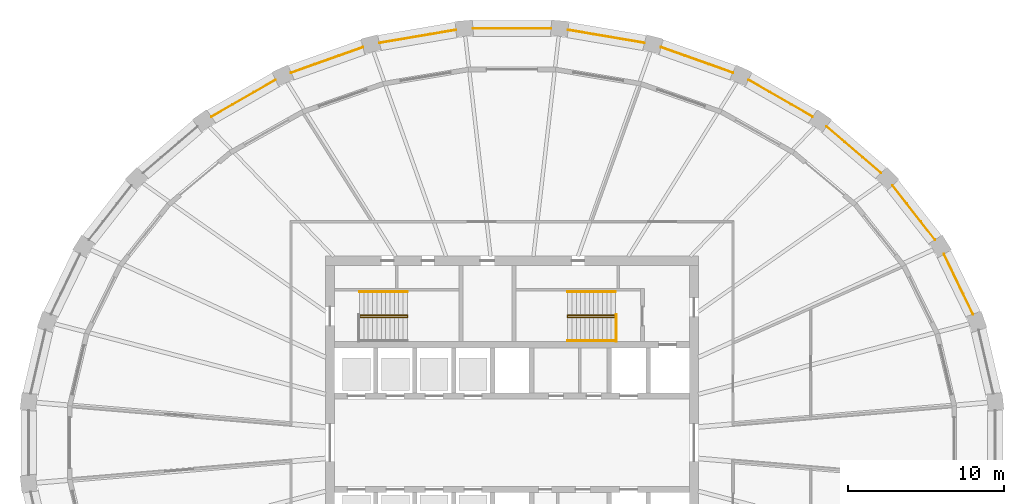
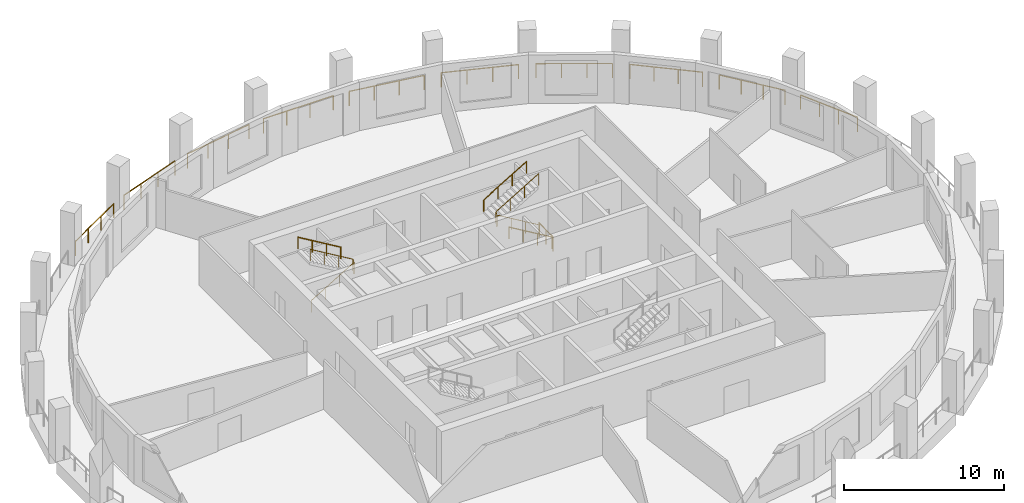
# One storey, part 9 of 10: 16 railings.
"""IFC4 building model written with IfcOpenShell, lengths in metres."""

from ifc_helpers import new_model, si_unit, direction, frame, origin, origin_2d, place, context, subcontext, project, spatial, circle, extrude, material, type_object, element, save


model = new_model("IFC4")

# Units and contexts
model_context = context("Model", 3, precision=1e-05, world=origin(), true_north=direction((0.0, 1.0)))
body_context = subcontext(model_context, "Body", "Model", "MODEL_VIEW")
ifc_project = project(units=[si_unit("LENGTHUNIT", "METRE"), si_unit("AREAUNIT", "SQUARE_METRE"), si_unit("VOLUMEUNIT", "CUBIC_METRE"), si_unit("PLANEANGLEUNIT", "RADIAN"), si_unit("MASSUNIT", "GRAM", prefix="KILO")], contexts=[model_context])

# Site, building, storey
site_placement = place(None, origin())
site = spatial("IfcSite", under=ifc_project, at=site_placement, CompositionType="ELEMENT")
building_placement = place(site_placement, origin())
building = spatial("IfcBuilding", under=site, at=building_placement, Name="Halqa Exchange Tower", CompositionType="ELEMENT")
storey_placement = place(building_placement, frame((0.0, 0.0, 238.89990234375)))
storey = spatial("IfcBuildingStorey", under=building, at=storey_placement, Name="L55", CompositionType="ELEMENT", Elevation=238.89990234375)

# Railings
ifc_material = material(Name="Stainless steel", Category="steel")
railing_type_1 = type_object("IfcRailingType", Name="Guard 1100 stainless steel", PredefinedType="GUARDRAIL", material=ifc_material)
railing_1_placement = place(storey_placement, frame((29.627197265625, 8.260986328125, 0.0)))
element("IfcRailing", 1, at=railing_1_placement, inside=storey, type_object=railing_type_1, Name="Loggia guard 2", PredefinedType="GUARDRAIL", context=body_context, shape_type="SweptSolid", body=[
    extrude(circle(Radius=0.02392578125, at=origin_2d()), frame((0.0, 0.0, 1.076171875), z_axis=(-0.435128594947, 0.900368316779, 0.0), x_axis=(-0.900368316779, -0.435128594947, 0.0)), (0.0, 0.0, 1.0), 4.281005859375),
    extrude(circle(Radius=0.02099609375, at=origin_2d()), origin(), (0.0, 0.0, 1.0), 1.052001953125),
    extrude(circle(Radius=0.02099609375, at=origin_2d()), frame((-0.620849609375, 1.284912109375, 0.0)), (0.0, 0.0, 1.0), 1.052001953125),
    extrude(circle(Radius=0.02099609375, at=origin_2d()), frame((-1.241943359375, 2.569580078125, 0.0)), (0.0, 0.0, 1.0), 1.052001953125),
    extrude(circle(Radius=0.02099609375, at=origin_2d()), frame((-1.86279296875, 3.8544921875, 0.0)), (0.0, 0.0, 1.0), 1.052001953125),
])
railing_2_placement = place(storey_placement, frame((27.18701171875, 13.044677734375, 0.0)))
element("IfcRailing", 2, at=railing_2_placement, inside=storey, type_object=railing_type_1, Name="Loggia guard 3", PredefinedType="GUARDRAIL", context=body_context, shape_type="SweptSolid", body=[
    extrude(circle(Radius=0.02392578125, at=origin_2d()), frame((0.0, 0.0, 1.076171875), z_axis=(-0.614837099367, 0.788654132838, 0.0), x_axis=(-0.788654132838, -0.614837099367, 0.0)), (0.0, 0.0, 1.0), 4.4287109375),
    extrude(circle(Radius=0.02099609375, at=origin_2d()), origin(), (0.0, 0.0, 1.0), 1.052001953125),
    extrude(circle(Radius=0.02099609375, at=origin_2d()), frame((-0.90771484375, 1.164306640625, 0.0)), (0.0, 0.0, 1.0), 1.052001953125),
    extrude(circle(Radius=0.02099609375, at=origin_2d()), frame((-1.815185546875, 2.328369140625, 0.0)), (0.0, 0.0, 1.0), 1.052001953125),
    extrude(circle(Radius=0.02099609375, at=origin_2d()), frame((-2.722900390625, 3.49267578125, 0.0)), (0.0, 0.0, 1.0), 1.052001953125),
])
railing_3_placement = place(storey_placement, frame((23.70849609375, 17.3291015625, 0.0)))
element("IfcRailing", 3, at=railing_3_placement, inside=storey, type_object=railing_type_1, Name="Loggia guard 4", PredefinedType="GUARDRAIL", context=body_context, shape_type="SweptSolid", body=[
    extrude(circle(Radius=0.02392578125, at=origin_2d()), frame((0.0, 0.0, 1.076171875), z_axis=(-0.759260350244, 0.650787000905, 0.0), x_axis=(-0.650787000905, -0.759260350244, 0.0)), (0.0, 0.0, 1.0), 4.59814453125),
    extrude(circle(Radius=0.02099609375, at=origin_2d()), origin(), (0.0, 0.0, 1.0), 1.052001953125),
    extrude(circle(Radius=0.02099609375, at=origin_2d()), frame((-1.163818359375, 0.99755859375, 0.0)), (0.0, 0.0, 1.0), 1.052001953125),
    extrude(circle(Radius=0.02099609375, at=origin_2d()), frame((-2.327392578125, 1.994873046875, 0.0)), (0.0, 0.0, 1.0), 1.052001953125),
    extrude(circle(Radius=0.02099609375, at=origin_2d()), frame((-3.4912109375, 2.992431640625, 0.0)), (0.0, 0.0, 1.0), 1.052001953125),
])
railing_4_placement = place(storey_placement, frame((19.322509765625, 20.952880859375, 0.0)))
element("IfcRailing", 4, at=railing_4_placement, inside=storey, type_object=railing_type_1, Name="Loggia guard 5", PredefinedType="GUARDRAIL", context=body_context, shape_type="SweptSolid", body=[
    extrude(circle(Radius=0.02392578125, at=origin_2d()), frame((0.0, 0.0, 1.076171875), z_axis=(-0.867760081541, 0.496983340651, 0.0), x_axis=(-0.496983340651, -0.867760081541, 0.0)), (0.0, 0.0, 1.0), 4.7626953125),
    extrude(circle(Radius=0.02099609375, at=origin_2d()), origin(), (0.0, 0.0, 1.0), 1.052001953125),
    extrude(circle(Radius=0.02099609375, at=origin_2d()), frame((-1.377685546875, 0.7890625, 0.0)), (0.0, 0.0, 1.0), 1.052001953125),
    extrude(circle(Radius=0.02099609375, at=origin_2d()), frame((-2.755126953125, 1.577880859375, 0.0)), (0.0, 0.0, 1.0), 1.052001953125),
    extrude(circle(Radius=0.02099609375, at=origin_2d()), frame((-4.1328125, 2.366943359375, 0.0)), (0.0, 0.0, 1.0), 1.052001953125),
])
railing_5_placement = place(storey_placement, frame((14.194091796875, 23.777099609375, 0.0)))
element("IfcRailing", 5, at=railing_5_placement, inside=storey, type_object=railing_type_1, Name="Loggia guard 6", PredefinedType="GUARDRAIL", context=body_context, shape_type="SweptSolid", body=[
    extrude(circle(Radius=0.02392578125, at=origin_2d()), frame((0.0, 0.0, 1.076171875), z_axis=(-0.942363882557, 0.334589768002, 0.0), x_axis=(-0.334589768002, -0.942363882557, 0.0)), (0.0, 0.0, 1.0), 4.898193359375),
    extrude(circle(Radius=0.02099609375, at=origin_2d()), origin(), (0.0, 0.0, 1.0), 1.052001953125),
    extrude(circle(Radius=0.02099609375, at=origin_2d()), frame((-1.53857421875, 0.54638671875, 0.0)), (0.0, 0.0, 1.0), 1.052001953125),
    extrude(circle(Radius=0.02099609375, at=origin_2d()), frame((-3.077392578125, 1.092529296875, 0.0)), (0.0, 0.0, 1.0), 1.052001953125),
    extrude(circle(Radius=0.02099609375, at=origin_2d()), frame((-4.615966796875, 1.638916015625, 0.0)), (0.0, 0.0, 1.0), 1.052001953125),
])
railing_6_placement = place(storey_placement, frame((8.517578125, 25.6923828125, 0.0)))
element("IfcRailing", 6, at=railing_6_placement, inside=storey, type_object=railing_type_1, Name="Loggia guard 7", PredefinedType="GUARDRAIL", context=body_context, shape_type="SweptSolid", body=[
    extrude(circle(Radius=0.02392578125, at=origin_2d()), frame((0.0, 0.0, 1.076171875), z_axis=(-0.985769089501, 0.16810503319, 0.0), x_axis=(-0.16810503319, -0.985769089501, 0.0)), (0.0, 0.0, 1.0), 4.9873046875),
    extrude(circle(Radius=0.02099609375, at=origin_2d()), origin(), (0.0, 0.0, 1.0), 1.052001953125),
    extrude(circle(Radius=0.02099609375, at=origin_2d()), frame((-1.638671875, 0.279541015625, 0.0)), (0.0, 0.0, 1.0), 1.052001953125),
    extrude(circle(Radius=0.02099609375, at=origin_2d()), frame((-3.277587890625, 0.558837890625, 0.0)), (0.0, 0.0, 1.0), 1.052001953125),
    extrude(circle(Radius=0.02099609375, at=origin_2d()), frame((-4.916259765625, 0.83837890625, 0.0)), (0.0, 0.0, 1.0), 1.052001953125),
])
railing_7_placement = place(storey_placement, frame((2.50927734375, 26.623046875, 0.0)))
element("IfcRailing", 7, at=railing_7_placement, inside=storey, type_object=railing_type_1, Name="Loggia guard 8", PredefinedType="GUARDRAIL", context=body_context, shape_type="SweptSolid", body=[
    extrude(circle(Radius=0.02392578125, at=origin_2d()), frame((0.0, 0.0, 1.076171875), z_axis=(-1.0, 0.0, 0.0), x_axis=(0.0, -1.0, 0.0)), (0.0, 0.0, 1.0), 5.0185546875),
    extrude(circle(Radius=0.02099609375, at=origin_2d()), origin(), (0.0, 0.0, 1.0), 1.052001953125),
    extrude(circle(Radius=0.02099609375, at=origin_2d()), frame((-1.6728515625, 0.0, 0.0)), (0.0, 0.0, 1.0), 1.052001953125),
    extrude(circle(Radius=0.02099609375, at=origin_2d()), frame((-3.345703125, 0.0, 0.0)), (0.0, 0.0, 1.0), 1.052001953125),
    extrude(circle(Radius=0.02099609375, at=origin_2d()), frame((-5.0185546875, 0.0, 0.0)), (0.0, 0.0, 1.0), 1.052001953125),
])
railing_8_placement = place(storey_placement, frame((-3.601318359375, 26.53076171875, 0.0)))
element("IfcRailing", 8, at=railing_8_placement, inside=storey, type_object=railing_type_1, Name="Loggia guard 9", PredefinedType="GUARDRAIL", context=body_context, shape_type="SweptSolid", body=[
    extrude(circle(Radius=0.02392578125, at=origin_2d()), frame((0.0, 0.0, 1.076171875), z_axis=(-0.985769089501, -0.16810503319, 0.0), x_axis=(0.16810503319, -0.985769089501, 0.0)), (0.0, 0.0, 1.0), 4.9873046875),
    extrude(circle(Radius=0.02099609375, at=origin_2d()), origin(), (0.0, 0.0, 1.0), 1.052001953125),
    extrude(circle(Radius=0.02099609375, at=origin_2d()), frame((-1.638671875, -0.279541015625, 0.0)), (0.0, 0.0, 1.0), 1.052001953125),
    extrude(circle(Radius=0.02099609375, at=origin_2d()), frame((-3.277587890625, -0.558837890625, 0.0)), (0.0, 0.0, 1.0), 1.052001953125),
    extrude(circle(Radius=0.02099609375, at=origin_2d()), frame((-4.916259765625, -0.83837890625, 0.0)), (0.0, 0.0, 1.0), 1.052001953125),
])
railing_9_placement = place(storey_placement, frame((-9.578125, 25.416015625, 0.0)))
element("IfcRailing", 9, at=railing_9_placement, inside=storey, type_object=railing_type_1, Name="Loggia guard 10", PredefinedType="GUARDRAIL", context=body_context, shape_type="SweptSolid", body=[
    extrude(circle(Radius=0.02392578125, at=origin_2d()), frame((0.0, 0.0, 1.076171875), z_axis=(-0.942363882557, -0.334589768002, 0.0), x_axis=(0.334589768002, -0.942363882557, 0.0)), (0.0, 0.0, 1.0), 4.898193359375),
    extrude(circle(Radius=0.02099609375, at=origin_2d()), origin(), (0.0, 0.0, 1.0), 1.052001953125),
    extrude(circle(Radius=0.02099609375, at=origin_2d()), frame((-1.53857421875, -0.54638671875, 0.0)), (0.0, 0.0, 1.0), 1.052001953125),
    extrude(circle(Radius=0.02099609375, at=origin_2d()), frame((-3.077392578125, -1.092529296875, 0.0)), (0.0, 0.0, 1.0), 1.052001953125),
    extrude(circle(Radius=0.02099609375, at=origin_2d()), frame((-4.615966796875, -1.638916015625, 0.0)), (0.0, 0.0, 1.0), 1.052001953125),
])
railing_10_placement = place(storey_placement, frame((-15.189697265625, 23.31982421875, 0.0)))
element("IfcRailing", 10, at=railing_10_placement, inside=storey, type_object=railing_type_1, Name="Loggia guard 11", PredefinedType="GUARDRAIL", context=body_context, shape_type="SweptSolid", body=[
    extrude(circle(Radius=0.02392578125, at=origin_2d()), frame((0.0, 0.0, 1.076171875), z_axis=(-0.867760081541, -0.496983340651, 0.0), x_axis=(0.496983340651, -0.867760081541, 0.0)), (0.0, 0.0, 1.0), 4.7626953125),
    extrude(circle(Radius=0.02099609375, at=origin_2d()), origin(), (0.0, 0.0, 1.0), 1.052001953125),
    extrude(circle(Radius=0.02099609375, at=origin_2d()), frame((-1.377685546875, -0.7890625, 0.0)), (0.0, 0.0, 1.0), 1.052001953125),
    extrude(circle(Radius=0.02099609375, at=origin_2d()), frame((-2.755126953125, -1.577880859375, 0.0)), (0.0, 0.0, 1.0), 1.052001953125),
    extrude(circle(Radius=0.02099609375, at=origin_2d()), frame((-4.1328125, -2.366943359375, 0.0)), (0.0, 0.0, 1.0), 1.052001953125),
])
railing_type_2 = type_object("IfcRailingType", Name="Stair handrail 900", PredefinedType="HANDRAIL", material=ifc_material)
railing_11_placement = place(storey_placement, frame((-9.800048828125, 8.06005859375, 0.166748046875)))
element("IfcRailing", 11, at=railing_11_placement, inside=storey, type_object=railing_type_2, Name="Handrail ST1.1", PredefinedType="HANDRAIL", context=body_context, shape_type="SweptSolid", body=[
    extrude(circle(Radius=0.02392578125, at=origin_2d()), frame((0.0, 0.0, 0.8759765625), z_axis=(0.859308565015, 0.0, 0.511457515432), x_axis=(0.0, 1.0, 0.0)), (0.0, 0.0, 1.0), 3.58447265625),
    extrude(circle(Radius=0.02392578125, at=origin_2d()), frame((3.080078125, 0.0, 2.708984375), z_axis=(0.0, 0.614500226555, 0.788916644243), x_axis=(-1.0, 0.0, 0.0)), (0.0, 0.0, 1.0), 0.21142578125),
    extrude(circle(Radius=0.02392578125, at=origin_2d()), frame((3.080078125, 0.1298828125, 2.8759765625), z_axis=(-0.859308565015, 0.0, 0.511457515432), x_axis=(0.0, -1.0, 0.0)), (0.0, 0.0, 1.0), 3.58447265625),
    extrude(circle(Radius=0.02099609375, at=origin_2d()), origin(), (0.0, 0.0, 1.0), 0.851806640625),
    extrude(circle(Radius=0.02099609375, at=origin_2d()), frame((1.026611328125, 0.0, 0.611083984375)), (0.0, 0.0, 1.0), 0.851806640625),
    extrude(circle(Radius=0.02099609375, at=origin_2d()), frame((2.053466796875, 0.0, 1.22216796875)), (0.0, 0.0, 1.0), 0.851806640625),
    extrude(circle(Radius=0.02099609375, at=origin_2d()), frame((3.080078125, 0.0, 1.833251953125)), (0.0, 0.0, 1.0), 0.851806640625),
    extrude(circle(Radius=0.02099609375, at=origin_2d()), frame((3.080078125, 0.1298828125, 2.0)), (0.0, 0.0, 1.0), 0.851806640625),
    extrude(circle(Radius=0.02099609375, at=origin_2d()), frame((2.053466796875, 0.1298828125, 2.611083984375)), (0.0, 0.0, 1.0), 0.851806640625),
    extrude(circle(Radius=0.02099609375, at=origin_2d()), frame((1.026611328125, 0.1298828125, 3.22216796875)), (0.0, 0.0, 1.0), 0.851806640625),
    extrude(circle(Radius=0.02099609375, at=origin_2d()), frame((0.0, 0.1298828125, 3.833251953125)), (0.0, 0.0, 1.0), 0.851806640625),
])
railing_12_placement = place(storey_placement, frame((-6.719970703125, 9.699951171875, 2.166748046875)))
element("IfcRailing", 12, at=railing_12_placement, inside=storey, type_object=railing_type_2, Name="Handrail ST1.3", PredefinedType="HANDRAIL", context=body_context, shape_type="SweptSolid", body=[
    extrude(circle(Radius=0.02392578125, at=origin_2d()), frame((0.0, 0.0, 0.8759765625), z_axis=(-0.859308565015, 0.0, 0.511457515432), x_axis=(0.0, -1.0, 0.0)), (0.0, 0.0, 1.0), 3.58447265625),
    extrude(circle(Radius=0.02099609375, at=origin_2d()), origin(), (0.0, 0.0, 1.0), 0.851806640625),
    extrude(circle(Radius=0.02099609375, at=origin_2d()), frame((-1.026611328125, 0.0, 0.611083984375)), (0.0, 0.0, 1.0), 0.851806640625),
    extrude(circle(Radius=0.02099609375, at=origin_2d()), frame((-2.053466796875, 0.0, 1.22216796875)), (0.0, 0.0, 1.0), 0.851806640625),
    extrude(circle(Radius=0.02099609375, at=origin_2d()), frame((-3.080078125, 0.0, 1.833251953125)), (0.0, 0.0, 1.0), 0.851806640625),
])
railing_13_placement = place(storey_placement, frame((6.64990234375, 8.06005859375, 0.166748046875)))
element("IfcRailing", 13, at=railing_13_placement, inside=storey, type_object=railing_type_2, Name="Handrail ST2.1", PredefinedType="HANDRAIL", context=body_context, shape_type="SweptSolid", body=[
    extrude(circle(Radius=0.02392578125, at=origin_2d()), frame((0.0, 0.0, 0.8759765625), z_axis=(-0.859290745958, 0.0, 0.51148745235), x_axis=(0.0, -1.0, 0.0)), (0.0, 0.0, 1.0), 3.584228515625),
    extrude(circle(Radius=0.02392578125, at=origin_2d()), frame((-3.079833984375, 0.0, 2.708984375), z_axis=(0.0, 0.614500226555, 0.788916644243), x_axis=(-1.0, 0.0, 0.0)), (0.0, 0.0, 1.0), 0.21142578125),
    extrude(circle(Radius=0.02392578125, at=origin_2d()), frame((-3.079833984375, 0.1298828125, 2.8759765625), z_axis=(0.859290745958, 0.0, 0.51148745235), x_axis=(0.0, 1.0, 0.0)), (0.0, 0.0, 1.0), 3.584228515625),
    extrude(circle(Radius=0.02099609375, at=origin_2d()), origin(), (0.0, 0.0, 1.0), 0.851806640625),
    extrude(circle(Radius=0.02099609375, at=origin_2d()), frame((-1.026611328125, 0.0, 0.611083984375)), (0.0, 0.0, 1.0), 0.851806640625),
    extrude(circle(Radius=0.02099609375, at=origin_2d()), frame((-2.05322265625, 0.0, 1.22216796875)), (0.0, 0.0, 1.0), 0.851806640625),
    extrude(circle(Radius=0.02099609375, at=origin_2d()), frame((-3.079833984375, 0.0, 1.833251953125)), (0.0, 0.0, 1.0), 0.851806640625),
    extrude(circle(Radius=0.02099609375, at=origin_2d()), frame((-3.079833984375, 0.1298828125, 2.0)), (0.0, 0.0, 1.0), 0.851806640625),
    extrude(circle(Radius=0.02099609375, at=origin_2d()), frame((-2.05322265625, 0.1298828125, 2.611083984375)), (0.0, 0.0, 1.0), 0.851806640625),
    extrude(circle(Radius=0.02099609375, at=origin_2d()), frame((-1.026611328125, 0.1298828125, 3.22216796875)), (0.0, 0.0, 1.0), 0.851806640625),
    extrude(circle(Radius=0.02099609375, at=origin_2d()), frame((0.0, 0.1298828125, 3.833251953125)), (0.0, 0.0, 1.0), 0.851806640625),
])
railing_14_placement = place(storey_placement, frame((6.64990234375, 6.550048828125, 0.166748046875)))
element("IfcRailing", 14, at=railing_14_placement, inside=storey, type_object=railing_type_2, Name="Handrail ST2.2", PredefinedType="HANDRAIL", context=body_context, shape_type="SweptSolid", body=[
    extrude(circle(Radius=0.02392578125, at=origin_2d()), frame((0.0, 0.0, 0.8759765625), z_axis=(-0.859290745958, 0.0, 0.51148745235), x_axis=(0.0, -1.0, 0.0)), (0.0, 0.0, 1.0), 3.584228515625),
    extrude(circle(Radius=0.02099609375, at=origin_2d()), origin(), (0.0, 0.0, 1.0), 0.851806640625),
    extrude(circle(Radius=0.02099609375, at=origin_2d()), frame((-1.026611328125, 0.0, 0.611083984375)), (0.0, 0.0, 1.0), 0.851806640625),
    extrude(circle(Radius=0.02099609375, at=origin_2d()), frame((-2.05322265625, 0.0, 1.22216796875)), (0.0, 0.0, 1.0), 0.851806640625),
    extrude(circle(Radius=0.02099609375, at=origin_2d()), frame((-3.079833984375, 0.0, 1.833251953125)), (0.0, 0.0, 1.0), 0.851806640625),
])
railing_15_placement = place(storey_placement, frame((3.570068359375, 9.699951171875, 2.166748046875)))
element("IfcRailing", 15, at=railing_15_placement, inside=storey, type_object=railing_type_2, Name="Handrail ST2.3", PredefinedType="HANDRAIL", context=body_context, shape_type="SweptSolid", body=[
    extrude(circle(Radius=0.02392578125, at=origin_2d()), frame((0.0, 0.0, 0.8759765625), z_axis=(0.859290745958, 0.0, 0.51148745235), x_axis=(0.0, 1.0, 0.0)), (0.0, 0.0, 1.0), 3.584228515625),
    extrude(circle(Radius=0.02099609375, at=origin_2d()), origin(), (0.0, 0.0, 1.0), 0.851806640625),
    extrude(circle(Radius=0.02099609375, at=origin_2d()), frame((1.026611328125, 0.0, 0.611083984375)), (0.0, 0.0, 1.0), 0.851806640625),
    extrude(circle(Radius=0.02099609375, at=origin_2d()), frame((2.05322265625, 0.0, 1.22216796875)), (0.0, 0.0, 1.0), 0.851806640625),
    extrude(circle(Radius=0.02099609375, at=origin_2d()), frame((3.079833984375, 0.0, 1.833251953125)), (0.0, 0.0, 1.0), 0.851806640625),
])
railing_type_3 = type_object("IfcRailingType", Name="Stair well guard 1100", PredefinedType="GUARDRAIL", material=ifc_material)
railing_16_placement = place(storey_placement, frame((6.699951171875, 6.5, 0.0)))
element("IfcRailing", 16, at=railing_16_placement, inside=storey, type_object=railing_type_3, Name="Guard ST2 well", PredefinedType="GUARDRAIL", context=body_context, shape_type="SweptSolid", body=[
    extrude(circle(Radius=0.02392578125, at=origin_2d()), frame((0.0, 0.0, 1.076171875), z_axis=(0.0, 1.0, 0.0), x_axis=(-1.0, 0.0, 0.0)), (0.0, 0.0, 1.0), 1.75),
    extrude(circle(Radius=0.02099609375, at=origin_2d()), origin(), (0.0, 0.0, 1.0), 1.052001953125),
    extrude(circle(Radius=0.02099609375, at=origin_2d()), frame((0.0, 0.875, 0.0)), (0.0, 0.0, 1.0), 1.052001953125),
    extrude(circle(Radius=0.02099609375, at=origin_2d()), frame((0.0, 1.75, 0.0)), (0.0, 0.0, 1.0), 1.052001953125),
])

save(model, "model.ifc")
